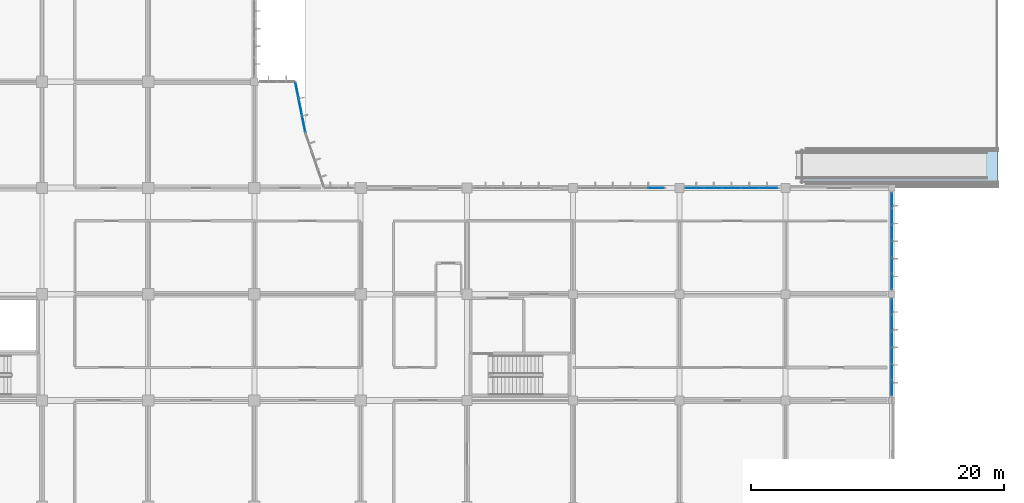
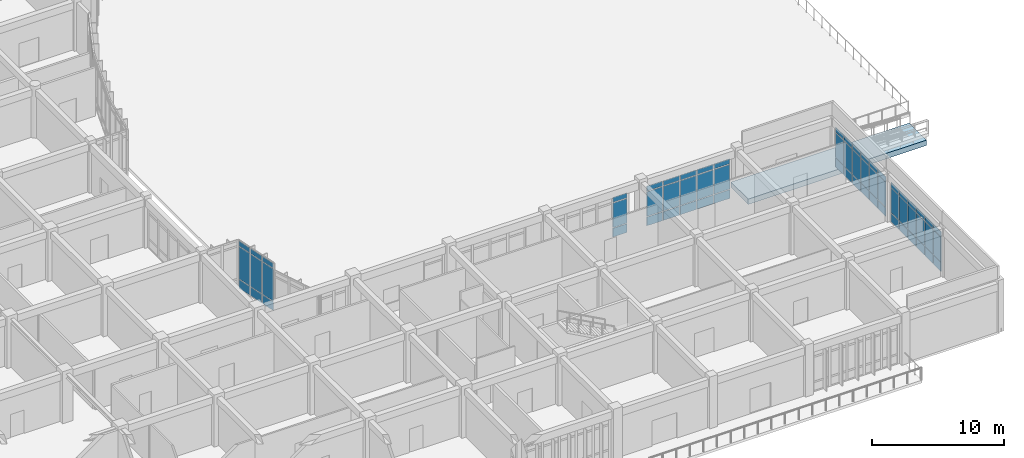
# One storey, part 77 of 138: 63 plates, 1 slab, 5 elements without a shape of their own.
"""IFC4 building model written with IfcOpenShell, lengths in metres."""

from ifc_helpers import new_model, si_unit, direction, frame, origin, origin_2d, place, context, subcontext, project, spatial, polyline, rectangle, outline, extrude, material, layer, layer_set, type_object, element, aggregate, save


model = new_model("IFC4")

# Units and contexts
model_context = context("Model", 3, precision=1e-05, world=origin(), true_north=direction((0.0, 1.0)))
body_context = subcontext(model_context, "Body", "Model", "MODEL_VIEW")
ifc_project = project(units=[si_unit("LENGTHUNIT", "METRE"), si_unit("AREAUNIT", "SQUARE_METRE"), si_unit("VOLUMEUNIT", "CUBIC_METRE"), si_unit("PLANEANGLEUNIT", "RADIAN"), si_unit("MASSUNIT", "GRAM", prefix="KILO")], contexts=[model_context])

# Site, building, storey
site_placement = place(None, origin())
site = spatial("IfcSite", under=ifc_project, at=site_placement, CompositionType="ELEMENT")
building_placement = place(site_placement, origin())
building = spatial("IfcBuilding", under=site, at=building_placement, Name="Bramfleet General Hospital", CompositionType="ELEMENT")
storey_placement = place(building_placement, origin())
storey = spatial("IfcBuildingStorey", under=building, at=storey_placement, Name="L00", CompositionType="ELEMENT", Elevation=0.0)

# Curtain wall, plates
ifc_material_1 = material(Name="Anodised aluminium and low-E triple glazing", Category="aluminium")
ifc_layer_1 = layer(ifc_material_1, 0.179931640625, Name="CWT-CW-11")
ifc_layer_set_1 = layer_set([ifc_layer_1], Name="Anodised aluminium and low-E triple glazing")
curtain_wall_type_1 = type_object("IfcCurtainWallType", Name="CWT-CW-11", PredefinedType="USERDEFINED", material=ifc_layer_set_1)
curtain_wall_1_placement = place(storey_placement, origin())
curtain_wall_1 = element("IfcCurtainWall", 1, at=curtain_wall_1_placement, inside=storey, type_object=curtain_wall_type_1, Name="L00 Curtain Wall 29", ObjectType="Stick curtain wall", PredefinedType="USERDEFINED")
ifc_material_2 = material(Name="Low-E laminated safety glass", Category="glass")
ifc_layer_2 = layer(ifc_material_2, 0.028076171875, Name="CWP-GLZ-1")
ifc_layer_set_2 = layer_set([ifc_layer_2], Name="Low-E laminated safety glass")
plate_type_1 = type_object("IfcPlateType", Name="CWP-GLZ-1", PredefinedType="CURTAIN_PANEL", material=ifc_layer_set_2)
plate_1_placement = place(storey_placement, frame((157.748291015625, 25.199951171875, 0.06494140625), z_axis=(0.0, 0.0, 1.0), x_axis=(1.0, 0.0, 0.0)))
plate_1 = element("IfcPlate", 2, at=plate_1_placement, type_object=plate_type_1, Name="CW-11 panel 5.1", PredefinedType="CURTAIN_PANEL", context=body_context, shape_type="SweptSolid", body=[
    extrude(rectangle(XDim=1.259521484375, YDim=0.028076171875, at=origin_2d()), origin(), (0.0, 0.0, 1.0), 0.802490234375),
])
plate_2_placement = place(storey_placement, frame((157.748291015625, 25.199951171875, 0.9326171875), z_axis=(0.0, 0.0, 1.0), x_axis=(1.0, 0.0, 0.0)))
plate_2 = element("IfcPlate", 3, at=plate_2_placement, type_object=plate_type_1, Name="CW-11 panel 5.2", PredefinedType="CURTAIN_PANEL", context=body_context, shape_type="SweptSolid", body=[
    extrude(rectangle(XDim=1.259521484375, YDim=0.028076171875, at=origin_2d()), origin(), (0.0, 0.0, 1.0), 2.27490234375),
])
plate_3_placement = place(storey_placement, frame((157.748291015625, 25.199951171875, 3.2724609375), z_axis=(0.0, 0.0, 1.0), x_axis=(1.0, 0.0, 0.0)))
plate_3 = element("IfcPlate", 4, at=plate_3_placement, type_object=plate_type_1, Name="CW-11 panel 5.3", PredefinedType="CURTAIN_PANEL", context=body_context, shape_type="SweptSolid", body=[
    extrude(rectangle(XDim=1.259521484375, YDim=0.028076171875, at=origin_2d()), origin(), (0.0, 0.0, 1.0), 0.452392578125),
])
aggregate(curtain_wall_1, [plate_1, plate_2, plate_3])

ifc_layer_3 = layer(ifc_material_1, 0.179931640625, Name="CWT-CW-12")
ifc_layer_set_3 = layer_set([ifc_layer_3], Name="Anodised aluminium and low-E triple glazing")
curtain_wall_type_2 = type_object("IfcCurtainWallType", Name="CWT-CW-12", PredefinedType="USERDEFINED", material=ifc_layer_set_3)
curtain_wall_2_placement = place(storey_placement, origin())
curtain_wall_2 = element("IfcCurtainWall", 5, at=curtain_wall_2_placement, inside=storey, type_object=curtain_wall_type_2, Name="L00 Curtain Wall 30", ObjectType="Stick curtain wall", PredefinedType="USERDEFINED")
ifc_layer_4 = layer(ifc_material_2, 0.031982421875, Name="CWP-GLZ-2")
ifc_layer_set_4 = layer_set([ifc_layer_4], Name="Low-E laminated safety glass")
plate_type_2 = type_object("IfcPlateType", Name="CWP-GLZ-2", PredefinedType="CURTAIN_PANEL", material=ifc_layer_set_4)
plate_4_placement = place(storey_placement, frame((160.782470703125, 25.199951171875, 0.06494140625), z_axis=(0.0, 0.0, 1.0), x_axis=(1.0, 0.0, 0.0)))
plate_4 = element("IfcPlate", 6, at=plate_4_placement, type_object=plate_type_2, Name="CW-12 panel 1.1", PredefinedType="CURTAIN_PANEL", context=body_context, shape_type="SweptSolid", body=[
    extrude(rectangle(XDim=1.374755859375, YDim=0.031982421875, at=origin_2d()), origin(), (0.0, 0.0, 1.0), 0.802490234375),
])
plate_5_placement = place(storey_placement, frame((160.782470703125, 25.199951171875, 0.9326171875), z_axis=(0.0, 0.0, 1.0), x_axis=(1.0, 0.0, 0.0)))
plate_5 = element("IfcPlate", 7, at=plate_5_placement, type_object=plate_type_2, Name="CW-12 panel 1.2", PredefinedType="CURTAIN_PANEL", context=body_context, shape_type="SweptSolid", body=[
    extrude(rectangle(XDim=1.374755859375, YDim=0.031982421875, at=origin_2d()), origin(), (0.0, 0.0, 1.0), 2.27490234375),
])
plate_6_placement = place(storey_placement, frame((160.782470703125, 25.199951171875, 3.2724609375), z_axis=(0.0, 0.0, 1.0), x_axis=(1.0, 0.0, 0.0)))
plate_6 = element("IfcPlate", 8, at=plate_6_placement, type_object=plate_type_2, Name="CW-12 panel 1.3", PredefinedType="CURTAIN_PANEL", context=body_context, shape_type="SweptSolid", body=[
    extrude(rectangle(XDim=1.374755859375, YDim=0.031982421875, at=origin_2d()), origin(), (0.0, 0.0, 1.0), 0.452392578125),
])
plate_7_placement = place(storey_placement, frame((162.24462890625, 25.199951171875, 0.06494140625), z_axis=(0.0, 0.0, 1.0), x_axis=(1.0, 0.0, 0.0)))
plate_7 = element("IfcPlate", 9, at=plate_7_placement, type_object=plate_type_2, Name="CW-12 panel 2.1", PredefinedType="CURTAIN_PANEL", context=body_context, shape_type="SweptSolid", body=[
    extrude(rectangle(XDim=1.409912109375, YDim=0.031982421875, at=origin_2d()), origin(), (0.0, 0.0, 1.0), 0.802490234375),
])
plate_8_placement = place(storey_placement, frame((162.24462890625, 25.199951171875, 0.9326171875), z_axis=(0.0, 0.0, 1.0), x_axis=(1.0, 0.0, 0.0)))
plate_8 = element("IfcPlate", 10, at=plate_8_placement, type_object=plate_type_2, Name="CW-12 panel 2.2", PredefinedType="CURTAIN_PANEL", context=body_context, shape_type="SweptSolid", body=[
    extrude(rectangle(XDim=1.409912109375, YDim=0.031982421875, at=origin_2d()), origin(), (0.0, 0.0, 1.0), 2.27490234375),
])
plate_9_placement = place(storey_placement, frame((162.24462890625, 25.199951171875, 3.2724609375), z_axis=(0.0, 0.0, 1.0), x_axis=(1.0, 0.0, 0.0)))
plate_9 = element("IfcPlate", 11, at=plate_9_placement, type_object=plate_type_2, Name="CW-12 panel 2.3", PredefinedType="CURTAIN_PANEL", context=body_context, shape_type="SweptSolid", body=[
    extrude(rectangle(XDim=1.409912109375, YDim=0.031982421875, at=origin_2d()), origin(), (0.0, 0.0, 1.0), 0.452392578125),
])
plate_10_placement = place(storey_placement, frame((163.724609375, 25.199951171875, 0.06494140625), z_axis=(0.0, 0.0, 1.0), x_axis=(1.0, 0.0, 0.0)))
plate_10 = element("IfcPlate", 12, at=plate_10_placement, type_object=plate_type_2, Name="CW-12 panel 3.1", PredefinedType="CURTAIN_PANEL", context=body_context, shape_type="SweptSolid", body=[
    extrude(rectangle(XDim=1.409912109375, YDim=0.031982421875, at=origin_2d()), origin(), (0.0, 0.0, 1.0), 0.802490234375),
])
plate_11_placement = place(storey_placement, frame((163.724609375, 25.199951171875, 0.9326171875), z_axis=(0.0, 0.0, 1.0), x_axis=(1.0, 0.0, 0.0)))
plate_11 = element("IfcPlate", 13, at=plate_11_placement, type_object=plate_type_2, Name="CW-12 panel 3.2", PredefinedType="CURTAIN_PANEL", context=body_context, shape_type="SweptSolid", body=[
    extrude(rectangle(XDim=1.409912109375, YDim=0.031982421875, at=origin_2d()), origin(), (0.0, 0.0, 1.0), 2.27490234375),
])
plate_12_placement = place(storey_placement, frame((163.724609375, 25.199951171875, 3.2724609375), z_axis=(0.0, 0.0, 1.0), x_axis=(1.0, 0.0, 0.0)))
plate_12 = element("IfcPlate", 14, at=plate_12_placement, type_object=plate_type_2, Name="CW-12 panel 3.3", PredefinedType="CURTAIN_PANEL", context=body_context, shape_type="SweptSolid", body=[
    extrude(rectangle(XDim=1.409912109375, YDim=0.031982421875, at=origin_2d()), origin(), (0.0, 0.0, 1.0), 0.452392578125),
])
plate_13_placement = place(storey_placement, frame((165.204345703125, 25.199951171875, 0.06494140625), z_axis=(0.0, 0.0, 1.0), x_axis=(1.0, 0.0, 0.0)))
plate_13 = element("IfcPlate", 15, at=plate_13_placement, type_object=plate_type_2, Name="CW-12 panel 4.1", PredefinedType="CURTAIN_PANEL", context=body_context, shape_type="SweptSolid", body=[
    extrude(rectangle(XDim=1.409912109375, YDim=0.031982421875, at=origin_2d()), origin(), (0.0, 0.0, 1.0), 0.802490234375),
])
plate_14_placement = place(storey_placement, frame((165.204345703125, 25.199951171875, 0.9326171875), z_axis=(0.0, 0.0, 1.0), x_axis=(1.0, 0.0, 0.0)))
plate_14 = element("IfcPlate", 16, at=plate_14_placement, type_object=plate_type_2, Name="CW-12 panel 4.2", PredefinedType="CURTAIN_PANEL", context=body_context, shape_type="SweptSolid", body=[
    extrude(rectangle(XDim=1.409912109375, YDim=0.031982421875, at=origin_2d()), origin(), (0.0, 0.0, 1.0), 2.27490234375),
])
plate_15_placement = place(storey_placement, frame((165.204345703125, 25.199951171875, 3.2724609375), z_axis=(0.0, 0.0, 1.0), x_axis=(1.0, 0.0, 0.0)))
plate_15 = element("IfcPlate", 17, at=plate_15_placement, type_object=plate_type_2, Name="CW-12 panel 4.3", PredefinedType="CURTAIN_PANEL", context=body_context, shape_type="SweptSolid", body=[
    extrude(rectangle(XDim=1.409912109375, YDim=0.031982421875, at=origin_2d()), origin(), (0.0, 0.0, 1.0), 0.452392578125),
])
plate_16_placement = place(storey_placement, frame((166.66650390625, 25.199951171875, 0.06494140625), z_axis=(0.0, 0.0, 1.0), x_axis=(1.0, 0.0, 0.0)))
plate_16 = element("IfcPlate", 18, at=plate_16_placement, type_object=plate_type_2, Name="CW-12 panel 5.1", PredefinedType="CURTAIN_PANEL", context=body_context, shape_type="SweptSolid", body=[
    extrude(rectangle(XDim=1.374755859375, YDim=0.031982421875, at=origin_2d()), origin(), (0.0, 0.0, 1.0), 0.802490234375),
])
plate_17_placement = place(storey_placement, frame((166.66650390625, 25.199951171875, 0.9326171875), z_axis=(0.0, 0.0, 1.0), x_axis=(1.0, 0.0, 0.0)))
plate_17 = element("IfcPlate", 19, at=plate_17_placement, type_object=plate_type_2, Name="CW-12 panel 5.2", PredefinedType="CURTAIN_PANEL", context=body_context, shape_type="SweptSolid", body=[
    extrude(rectangle(XDim=1.374755859375, YDim=0.031982421875, at=origin_2d()), origin(), (0.0, 0.0, 1.0), 2.27490234375),
])
plate_18_placement = place(storey_placement, frame((166.66650390625, 25.199951171875, 3.2724609375), z_axis=(0.0, 0.0, 1.0), x_axis=(1.0, 0.0, 0.0)))
plate_18 = element("IfcPlate", 20, at=plate_18_placement, type_object=plate_type_2, Name="CW-12 panel 5.3", PredefinedType="CURTAIN_PANEL", context=body_context, shape_type="SweptSolid", body=[
    extrude(rectangle(XDim=1.374755859375, YDim=0.031982421875, at=origin_2d()), origin(), (0.0, 0.0, 1.0), 0.452392578125),
])
aggregate(curtain_wall_2, [plate_4, plate_5, plate_6, plate_7, plate_8, plate_9, plate_10, plate_11, plate_12, plate_13, plate_14, plate_15, plate_16, plate_17, plate_18])

ifc_layer_5 = layer(ifc_material_1, 0.179931640625, Name="CWT-CW-13")
ifc_layer_set_5 = layer_set([ifc_layer_5], Name="Anodised aluminium and low-E triple glazing")
curtain_wall_type_3 = type_object("IfcCurtainWallType", Name="CWT-CW-13", PredefinedType="USERDEFINED", material=ifc_layer_set_5)
curtain_wall_3_placement = place(storey_placement, origin())
curtain_wall_3 = element("IfcCurtainWall", 21, at=curtain_wall_3_placement, inside=storey, type_object=curtain_wall_type_3, Name="L00 Curtain Wall 31", ObjectType="Stick curtain wall", PredefinedType="USERDEFINED")
ifc_layer_6 = layer(ifc_material_2, 0.035888671875, Name="CWP-GLZ-3")
ifc_layer_set_6 = layer_set([ifc_layer_6], Name="Low-E laminated safety glass")
plate_type_3 = type_object("IfcPlateType", Name="CWP-GLZ-3", PredefinedType="CURTAIN_PANEL", material=ifc_layer_set_6)
plate_19_placement = place(storey_placement, frame((176.39990234375, 24.211669921875, 0.06494140625), z_axis=(0.0, 0.0, 1.0), x_axis=(0.0, -1.0, 0.0)))
plate_19 = element("IfcPlate", 22, at=plate_19_placement, type_object=plate_type_3, Name="CW-13 panel 1.1", PredefinedType="CURTAIN_PANEL", context=body_context, shape_type="SweptSolid", body=[
    extrude(rectangle(XDim=1.186767578125, YDim=0.035888671875, at=origin_2d()), origin(), (0.0, 0.0, 1.0), 0.802490234375),
])
plate_20_placement = place(storey_placement, frame((176.39990234375, 24.211669921875, 0.9326171875), z_axis=(0.0, 0.0, 1.0), x_axis=(0.0, -1.0, 0.0)))
plate_20 = element("IfcPlate", 23, at=plate_20_placement, type_object=plate_type_3, Name="CW-13 panel 1.2", PredefinedType="CURTAIN_PANEL", context=body_context, shape_type="SweptSolid", body=[
    extrude(rectangle(XDim=1.186767578125, YDim=0.035888671875, at=origin_2d()), origin(), (0.0, 0.0, 1.0), 2.27490234375),
])
plate_21_placement = place(storey_placement, frame((176.39990234375, 24.211669921875, 3.2724609375), z_axis=(0.0, 0.0, 1.0), x_axis=(0.0, -1.0, 0.0)))
plate_21 = element("IfcPlate", 24, at=plate_21_placement, type_object=plate_type_3, Name="CW-13 panel 1.3", PredefinedType="CURTAIN_PANEL", context=body_context, shape_type="SweptSolid", body=[
    extrude(rectangle(XDim=1.186767578125, YDim=0.035888671875, at=origin_2d()), origin(), (0.0, 0.0, 1.0), 0.452392578125),
])
plate_22_placement = place(storey_placement, frame((176.39990234375, 22.9375, 0.06494140625), z_axis=(0.0, 0.0, 1.0), x_axis=(0.0, -1.0, 0.0)))
plate_22 = element("IfcPlate", 25, at=plate_22_placement, type_object=plate_type_3, Name="CW-13 panel 2.1", PredefinedType="CURTAIN_PANEL", context=body_context, shape_type="SweptSolid", body=[
    extrude(rectangle(XDim=1.2216796875, YDim=0.035888671875, at=origin_2d()), origin(), (0.0, 0.0, 1.0), 0.802490234375),
])
plate_23_placement = place(storey_placement, frame((176.39990234375, 22.9375, 0.9326171875), z_axis=(0.0, 0.0, 1.0), x_axis=(0.0, -1.0, 0.0)))
plate_23 = element("IfcPlate", 26, at=plate_23_placement, type_object=plate_type_3, Name="CW-13 panel 2.2", PredefinedType="CURTAIN_PANEL", context=body_context, shape_type="SweptSolid", body=[
    extrude(rectangle(XDim=1.2216796875, YDim=0.035888671875, at=origin_2d()), origin(), (0.0, 0.0, 1.0), 2.27490234375),
])
plate_24_placement = place(storey_placement, frame((176.39990234375, 22.9375, 3.2724609375), z_axis=(0.0, 0.0, 1.0), x_axis=(0.0, -1.0, 0.0)))
plate_24 = element("IfcPlate", 27, at=plate_24_placement, type_object=plate_type_3, Name="CW-13 panel 2.3", PredefinedType="CURTAIN_PANEL", context=body_context, shape_type="SweptSolid", body=[
    extrude(rectangle(XDim=1.2216796875, YDim=0.035888671875, at=origin_2d()), origin(), (0.0, 0.0, 1.0), 0.452392578125),
])
plate_25_placement = place(storey_placement, frame((176.39990234375, 21.645751953125, 0.06494140625), z_axis=(0.0, 0.0, 1.0), x_axis=(0.0, -1.0, 0.0)))
plate_25 = element("IfcPlate", 28, at=plate_25_placement, type_object=plate_type_3, Name="CW-13 panel 3.1", PredefinedType="CURTAIN_PANEL", context=body_context, shape_type="SweptSolid", body=[
    extrude(rectangle(XDim=1.2216796875, YDim=0.035888671875, at=origin_2d()), origin(), (0.0, 0.0, 1.0), 0.802490234375),
])
plate_26_placement = place(storey_placement, frame((176.39990234375, 21.645751953125, 0.9326171875), z_axis=(0.0, 0.0, 1.0), x_axis=(0.0, -1.0, 0.0)))
plate_26 = element("IfcPlate", 29, at=plate_26_placement, type_object=plate_type_3, Name="CW-13 panel 3.2", PredefinedType="CURTAIN_PANEL", context=body_context, shape_type="SweptSolid", body=[
    extrude(rectangle(XDim=1.2216796875, YDim=0.035888671875, at=origin_2d()), origin(), (0.0, 0.0, 1.0), 2.27490234375),
])
plate_27_placement = place(storey_placement, frame((176.39990234375, 21.645751953125, 3.2724609375), z_axis=(0.0, 0.0, 1.0), x_axis=(0.0, -1.0, 0.0)))
plate_27 = element("IfcPlate", 30, at=plate_27_placement, type_object=plate_type_3, Name="CW-13 panel 3.3", PredefinedType="CURTAIN_PANEL", context=body_context, shape_type="SweptSolid", body=[
    extrude(rectangle(XDim=1.2216796875, YDim=0.035888671875, at=origin_2d()), origin(), (0.0, 0.0, 1.0), 0.452392578125),
])
plate_28_placement = place(storey_placement, frame((176.39990234375, 20.354248046875, 0.06494140625), z_axis=(0.0, 0.0, 1.0), x_axis=(0.0, -1.0, 0.0)))
plate_28 = element("IfcPlate", 31, at=plate_28_placement, type_object=plate_type_3, Name="CW-13 panel 4.1", PredefinedType="CURTAIN_PANEL", context=body_context, shape_type="SweptSolid", body=[
    extrude(rectangle(XDim=1.2216796875, YDim=0.035888671875, at=origin_2d()), origin(), (0.0, 0.0, 1.0), 0.802490234375),
])
plate_29_placement = place(storey_placement, frame((176.39990234375, 20.354248046875, 0.9326171875), z_axis=(0.0, 0.0, 1.0), x_axis=(0.0, -1.0, 0.0)))
plate_29 = element("IfcPlate", 32, at=plate_29_placement, type_object=plate_type_3, Name="CW-13 panel 4.2", PredefinedType="CURTAIN_PANEL", context=body_context, shape_type="SweptSolid", body=[
    extrude(rectangle(XDim=1.2216796875, YDim=0.035888671875, at=origin_2d()), origin(), (0.0, 0.0, 1.0), 2.27490234375),
])
plate_30_placement = place(storey_placement, frame((176.39990234375, 20.354248046875, 3.2724609375), z_axis=(0.0, 0.0, 1.0), x_axis=(0.0, -1.0, 0.0)))
plate_30 = element("IfcPlate", 33, at=plate_30_placement, type_object=plate_type_3, Name="CW-13 panel 4.3", PredefinedType="CURTAIN_PANEL", context=body_context, shape_type="SweptSolid", body=[
    extrude(rectangle(XDim=1.2216796875, YDim=0.035888671875, at=origin_2d()), origin(), (0.0, 0.0, 1.0), 0.452392578125),
])
plate_31_placement = place(storey_placement, frame((176.39990234375, 19.0625, 0.06494140625), z_axis=(0.0, 0.0, 1.0), x_axis=(0.0, -1.0, 0.0)))
plate_31 = element("IfcPlate", 34, at=plate_31_placement, type_object=plate_type_3, Name="CW-13 panel 5.1", PredefinedType="CURTAIN_PANEL", context=body_context, shape_type="SweptSolid", body=[
    extrude(rectangle(XDim=1.2216796875, YDim=0.035888671875, at=origin_2d()), origin(), (0.0, 0.0, 1.0), 0.802490234375),
])
plate_32_placement = place(storey_placement, frame((176.39990234375, 19.0625, 0.9326171875), z_axis=(0.0, 0.0, 1.0), x_axis=(0.0, -1.0, 0.0)))
plate_32 = element("IfcPlate", 35, at=plate_32_placement, type_object=plate_type_3, Name="CW-13 panel 5.2", PredefinedType="CURTAIN_PANEL", context=body_context, shape_type="SweptSolid", body=[
    extrude(rectangle(XDim=1.2216796875, YDim=0.035888671875, at=origin_2d()), origin(), (0.0, 0.0, 1.0), 2.27490234375),
])
plate_33_placement = place(storey_placement, frame((176.39990234375, 19.0625, 3.2724609375), z_axis=(0.0, 0.0, 1.0), x_axis=(0.0, -1.0, 0.0)))
plate_33 = element("IfcPlate", 36, at=plate_33_placement, type_object=plate_type_3, Name="CW-13 panel 5.3", PredefinedType="CURTAIN_PANEL", context=body_context, shape_type="SweptSolid", body=[
    extrude(rectangle(XDim=1.2216796875, YDim=0.035888671875, at=origin_2d()), origin(), (0.0, 0.0, 1.0), 0.452392578125),
])
plate_34_placement = place(storey_placement, frame((176.39990234375, 17.788330078125, 0.06494140625), z_axis=(0.0, 0.0, 1.0), x_axis=(0.0, -1.0, 0.0)))
plate_34 = element("IfcPlate", 37, at=plate_34_placement, type_object=plate_type_3, Name="CW-13 panel 6.1", PredefinedType="CURTAIN_PANEL", context=body_context, shape_type="SweptSolid", body=[
    extrude(rectangle(XDim=1.186767578125, YDim=0.035888671875, at=origin_2d()), origin(), (0.0, 0.0, 1.0), 0.802490234375),
])
plate_35_placement = place(storey_placement, frame((176.39990234375, 17.788330078125, 0.9326171875), z_axis=(0.0, 0.0, 1.0), x_axis=(0.0, -1.0, 0.0)))
plate_35 = element("IfcPlate", 38, at=plate_35_placement, type_object=plate_type_3, Name="CW-13 panel 6.2", PredefinedType="CURTAIN_PANEL", context=body_context, shape_type="SweptSolid", body=[
    extrude(rectangle(XDim=1.186767578125, YDim=0.035888671875, at=origin_2d()), origin(), (0.0, 0.0, 1.0), 2.27490234375),
])
plate_36_placement = place(storey_placement, frame((176.39990234375, 17.788330078125, 3.2724609375), z_axis=(0.0, 0.0, 1.0), x_axis=(0.0, -1.0, 0.0)))
plate_36 = element("IfcPlate", 39, at=plate_36_placement, type_object=plate_type_3, Name="CW-13 panel 6.3", PredefinedType="CURTAIN_PANEL", context=body_context, shape_type="SweptSolid", body=[
    extrude(rectangle(XDim=1.186767578125, YDim=0.035888671875, at=origin_2d()), origin(), (0.0, 0.0, 1.0), 0.452392578125),
])
aggregate(curtain_wall_3, [plate_19, plate_20, plate_21, plate_22, plate_23, plate_24, plate_25, plate_26, plate_27, plate_28, plate_29, plate_30, plate_31, plate_32, plate_33, plate_34, plate_35, plate_36])

ifc_layer_7 = layer(ifc_material_1, 0.179931640625, Name="CWT-CW-06")
ifc_layer_set_7 = layer_set([ifc_layer_7], Name="Anodised aluminium and low-E triple glazing")
curtain_wall_type_4 = type_object("IfcCurtainWallType", Name="CWT-CW-06", PredefinedType="USERDEFINED", material=ifc_layer_set_7)
curtain_wall_4_placement = place(storey_placement, origin())
curtain_wall_4 = element("IfcCurtainWall", 40, at=curtain_wall_4_placement, inside=storey, type_object=curtain_wall_type_4, Name="L00 Curtain Wall 24", ObjectType="Unitised curtain wall", PredefinedType="USERDEFINED")
ifc_layer_8 = layer(ifc_material_2, 0.0419921875, Name="CWP-GLZ-4")
ifc_layer_set_8 = layer_set([ifc_layer_8], Name="Low-E laminated safety glass")
plate_type_4 = type_object("IfcPlateType", Name="CWP-GLZ-4", PredefinedType="CURTAIN_PANEL", material=ifc_layer_set_8)
plate_37_placement = place(storey_placement, frame((129.371826171875, 32.912353515625, 0.06494140625), z_axis=(0.0, 0.0, 1.0), x_axis=(0.195272189606, -0.980749087161, 0.0)))
plate_37 = element("IfcPlate", 41, at=plate_37_placement, type_object=plate_type_4, Name="CW-06 panel 1.1", PredefinedType="CURTAIN_PANEL", context=body_context, shape_type="SweptSolid", body=[
    extrude(rectangle(XDim=1.26220703125, YDim=0.0419921875, at=origin_2d()), origin(), (0.0, 0.0, 1.0), 0.802490234375),
])
plate_38_placement = place(storey_placement, frame((129.371826171875, 32.912353515625, 0.932373046875), z_axis=(0.0, 0.0, 1.0), x_axis=(0.195272189606, -0.980749087161, 0.0)))
plate_38 = element("IfcPlate", 42, at=plate_38_placement, type_object=plate_type_4, Name="CW-06 panel 1.2", PredefinedType="CURTAIN_PANEL", context=body_context, shape_type="SweptSolid", body=[
    extrude(rectangle(XDim=1.26220703125, YDim=0.0419921875, at=origin_2d()), origin(), (0.0, 0.0, 1.0), 2.97509765625),
])
plate_39_placement = place(storey_placement, frame((129.371826171875, 32.912353515625, 3.97265625), z_axis=(0.0, 0.0, 1.0), x_axis=(0.195272189606, -0.980749087161, 0.0)))
plate_39 = element("IfcPlate", 43, at=plate_39_placement, type_object=plate_type_4, Name="CW-06 panel 1.3", PredefinedType="CURTAIN_PANEL", context=body_context, shape_type="SweptSolid", body=[
    extrude(rectangle(XDim=1.26220703125, YDim=0.0419921875, at=origin_2d()), origin(), (0.0, 0.0, 1.0), 0.452392578125),
])
plate_40_placement = place(storey_placement, frame((129.635498046875, 31.58837890625, 0.06494140625), z_axis=(0.0, 0.0, 1.0), x_axis=(0.195272189606, -0.980749087161, 0.0)))
plate_40 = element("IfcPlate", 44, at=plate_40_placement, type_object=plate_type_4, Name="CW-06 panel 2.1", PredefinedType="CURTAIN_PANEL", context=body_context, shape_type="SweptSolid", body=[
    extrude(rectangle(XDim=1.29736328125, YDim=0.0419921875, at=origin_2d()), origin(), (0.0, 0.0, 1.0), 0.802490234375),
])
plate_41_placement = place(storey_placement, frame((129.635498046875, 31.58837890625, 0.932373046875), z_axis=(0.0, 0.0, 1.0), x_axis=(0.195272189606, -0.980749087161, 0.0)))
plate_41 = element("IfcPlate", 45, at=plate_41_placement, type_object=plate_type_4, Name="CW-06 panel 2.2", PredefinedType="CURTAIN_PANEL", context=body_context, shape_type="SweptSolid", body=[
    extrude(rectangle(XDim=1.29736328125, YDim=0.0419921875, at=origin_2d()), origin(), (0.0, 0.0, 1.0), 2.97509765625),
])
plate_42_placement = place(storey_placement, frame((129.635498046875, 31.58837890625, 3.97265625), z_axis=(0.0, 0.0, 1.0), x_axis=(0.195272189606, -0.980749087161, 0.0)))
plate_42 = element("IfcPlate", 46, at=plate_42_placement, type_object=plate_type_4, Name="CW-06 panel 2.3", PredefinedType="CURTAIN_PANEL", context=body_context, shape_type="SweptSolid", body=[
    extrude(rectangle(XDim=1.29736328125, YDim=0.0419921875, at=origin_2d()), origin(), (0.0, 0.0, 1.0), 0.452392578125),
])
plate_43_placement = place(storey_placement, frame((129.899169921875, 30.2646484375, 0.06494140625), z_axis=(0.0, 0.0, 1.0), x_axis=(0.195272189606, -0.980749087161, 0.0)))
plate_43 = element("IfcPlate", 47, at=plate_43_placement, type_object=plate_type_4, Name="CW-06 panel 3.1", PredefinedType="CURTAIN_PANEL", context=body_context, shape_type="SweptSolid", body=[
    extrude(rectangle(XDim=1.26220703125, YDim=0.0419921875, at=origin_2d()), origin(), (0.0, 0.0, 1.0), 0.802490234375),
])
plate_44_placement = place(storey_placement, frame((129.899169921875, 30.2646484375, 0.932373046875), z_axis=(0.0, 0.0, 1.0), x_axis=(0.195272189606, -0.980749087161, 0.0)))
plate_44 = element("IfcPlate", 48, at=plate_44_placement, type_object=plate_type_4, Name="CW-06 panel 3.2", PredefinedType="CURTAIN_PANEL", context=body_context, shape_type="SweptSolid", body=[
    extrude(rectangle(XDim=1.26220703125, YDim=0.0419921875, at=origin_2d()), origin(), (0.0, 0.0, 1.0), 2.97509765625),
])
plate_45_placement = place(storey_placement, frame((129.899169921875, 30.2646484375, 3.97265625), z_axis=(0.0, 0.0, 1.0), x_axis=(0.195272189606, -0.980749087161, 0.0)))
plate_45 = element("IfcPlate", 49, at=plate_45_placement, type_object=plate_type_4, Name="CW-06 panel 3.3", PredefinedType="CURTAIN_PANEL", context=body_context, shape_type="SweptSolid", body=[
    extrude(rectangle(XDim=1.26220703125, YDim=0.0419921875, at=origin_2d()), origin(), (0.0, 0.0, 1.0), 0.452392578125),
])
aggregate(curtain_wall_4, [plate_37, plate_38, plate_39, plate_40, plate_41, plate_42, plate_43, plate_44, plate_45])

ifc_layer_9 = layer(ifc_material_1, 0.179931640625, Name="CWT-CW-14")
ifc_layer_set_9 = layer_set([ifc_layer_9], Name="Anodised aluminium and low-E triple glazing")
curtain_wall_type_5 = type_object("IfcCurtainWallType", Name="CWT-CW-14", PredefinedType="USERDEFINED", material=ifc_layer_set_9)
curtain_wall_5_placement = place(storey_placement, origin())
curtain_wall_5 = element("IfcCurtainWall", 50, at=curtain_wall_5_placement, inside=storey, type_object=curtain_wall_type_5, Name="L00 Curtain Wall 32", ObjectType="Stick curtain wall", PredefinedType="USERDEFINED")
plate_46_placement = place(storey_placement, frame((176.39990234375, 15.811767578125, 0.06494140625), z_axis=(0.0, 0.0, 1.0), x_axis=(0.0, -1.0, 0.0)))
plate_46 = element("IfcPlate", 51, at=plate_46_placement, type_object=plate_type_4, Name="CW-14 panel 1.1", PredefinedType="CURTAIN_PANEL", context=body_context, shape_type="SweptSolid", body=[
    extrude(rectangle(XDim=1.186767578125, YDim=0.0419921875, at=origin_2d()), origin(), (0.0, 0.0, 1.0), 0.802490234375),
])
plate_47_placement = place(storey_placement, frame((176.39990234375, 15.811767578125, 0.9326171875), z_axis=(0.0, 0.0, 1.0), x_axis=(0.0, -1.0, 0.0)))
plate_47 = element("IfcPlate", 52, at=plate_47_placement, type_object=plate_type_4, Name="CW-14 panel 1.2", PredefinedType="CURTAIN_PANEL", context=body_context, shape_type="SweptSolid", body=[
    extrude(rectangle(XDim=1.186767578125, YDim=0.0419921875, at=origin_2d()), origin(), (0.0, 0.0, 1.0), 2.27490234375),
])
plate_48_placement = place(storey_placement, frame((176.39990234375, 15.811767578125, 3.2724609375), z_axis=(0.0, 0.0, 1.0), x_axis=(0.0, -1.0, 0.0)))
plate_48 = element("IfcPlate", 53, at=plate_48_placement, type_object=plate_type_4, Name="CW-14 panel 1.3", PredefinedType="CURTAIN_PANEL", context=body_context, shape_type="SweptSolid", body=[
    extrude(rectangle(XDim=1.186767578125, YDim=0.0419921875, at=origin_2d()), origin(), (0.0, 0.0, 1.0), 0.452392578125),
])
plate_49_placement = place(storey_placement, frame((176.39990234375, 14.53759765625, 0.06494140625), z_axis=(0.0, 0.0, 1.0), x_axis=(0.0, -1.0, 0.0)))
plate_49 = element("IfcPlate", 54, at=plate_49_placement, type_object=plate_type_4, Name="CW-14 panel 2.1", PredefinedType="CURTAIN_PANEL", context=body_context, shape_type="SweptSolid", body=[
    extrude(rectangle(XDim=1.2216796875, YDim=0.0419921875, at=origin_2d()), origin(), (0.0, 0.0, 1.0), 0.802490234375),
])
plate_50_placement = place(storey_placement, frame((176.39990234375, 14.53759765625, 0.9326171875), z_axis=(0.0, 0.0, 1.0), x_axis=(0.0, -1.0, 0.0)))
plate_50 = element("IfcPlate", 55, at=plate_50_placement, type_object=plate_type_4, Name="CW-14 panel 2.2", PredefinedType="CURTAIN_PANEL", context=body_context, shape_type="SweptSolid", body=[
    extrude(rectangle(XDim=1.2216796875, YDim=0.0419921875, at=origin_2d()), origin(), (0.0, 0.0, 1.0), 2.27490234375),
])
plate_51_placement = place(storey_placement, frame((176.39990234375, 14.53759765625, 3.2724609375), z_axis=(0.0, 0.0, 1.0), x_axis=(0.0, -1.0, 0.0)))
plate_51 = element("IfcPlate", 56, at=plate_51_placement, type_object=plate_type_4, Name="CW-14 panel 2.3", PredefinedType="CURTAIN_PANEL", context=body_context, shape_type="SweptSolid", body=[
    extrude(rectangle(XDim=1.2216796875, YDim=0.0419921875, at=origin_2d()), origin(), (0.0, 0.0, 1.0), 0.452392578125),
])
plate_52_placement = place(storey_placement, frame((176.39990234375, 13.245849609375, 0.06494140625), z_axis=(0.0, 0.0, 1.0), x_axis=(0.0, -1.0, 0.0)))
plate_52 = element("IfcPlate", 57, at=plate_52_placement, type_object=plate_type_4, Name="CW-14 panel 3.1", PredefinedType="CURTAIN_PANEL", context=body_context, shape_type="SweptSolid", body=[
    extrude(rectangle(XDim=1.2216796875, YDim=0.0419921875, at=origin_2d()), origin(), (0.0, 0.0, 1.0), 0.802490234375),
])
plate_53_placement = place(storey_placement, frame((176.39990234375, 13.245849609375, 0.9326171875), z_axis=(0.0, 0.0, 1.0), x_axis=(0.0, -1.0, 0.0)))
plate_53 = element("IfcPlate", 58, at=plate_53_placement, type_object=plate_type_4, Name="CW-14 panel 3.2", PredefinedType="CURTAIN_PANEL", context=body_context, shape_type="SweptSolid", body=[
    extrude(rectangle(XDim=1.2216796875, YDim=0.0419921875, at=origin_2d()), origin(), (0.0, 0.0, 1.0), 2.27490234375),
])
plate_54_placement = place(storey_placement, frame((176.39990234375, 13.245849609375, 3.2724609375), z_axis=(0.0, 0.0, 1.0), x_axis=(0.0, -1.0, 0.0)))
plate_54 = element("IfcPlate", 59, at=plate_54_placement, type_object=plate_type_4, Name="CW-14 panel 3.3", PredefinedType="CURTAIN_PANEL", context=body_context, shape_type="SweptSolid", body=[
    extrude(rectangle(XDim=1.2216796875, YDim=0.0419921875, at=origin_2d()), origin(), (0.0, 0.0, 1.0), 0.452392578125),
])
plate_55_placement = place(storey_placement, frame((176.39990234375, 11.9541015625, 0.06494140625), z_axis=(0.0, 0.0, 1.0), x_axis=(0.0, -1.0, 0.0)))
plate_55 = element("IfcPlate", 60, at=plate_55_placement, type_object=plate_type_4, Name="CW-14 panel 4.1", PredefinedType="CURTAIN_PANEL", context=body_context, shape_type="SweptSolid", body=[
    extrude(rectangle(XDim=1.2216796875, YDim=0.0419921875, at=origin_2d()), origin(), (0.0, 0.0, 1.0), 0.802490234375),
])
plate_56_placement = place(storey_placement, frame((176.39990234375, 11.9541015625, 0.9326171875), z_axis=(0.0, 0.0, 1.0), x_axis=(0.0, -1.0, 0.0)))
plate_56 = element("IfcPlate", 61, at=plate_56_placement, type_object=plate_type_4, Name="CW-14 panel 4.2", PredefinedType="CURTAIN_PANEL", context=body_context, shape_type="SweptSolid", body=[
    extrude(rectangle(XDim=1.2216796875, YDim=0.0419921875, at=origin_2d()), origin(), (0.0, 0.0, 1.0), 2.27490234375),
])
plate_57_placement = place(storey_placement, frame((176.39990234375, 11.9541015625, 3.2724609375), z_axis=(0.0, 0.0, 1.0), x_axis=(0.0, -1.0, 0.0)))
plate_57 = element("IfcPlate", 62, at=plate_57_placement, type_object=plate_type_4, Name="CW-14 panel 4.3", PredefinedType="CURTAIN_PANEL", context=body_context, shape_type="SweptSolid", body=[
    extrude(rectangle(XDim=1.2216796875, YDim=0.0419921875, at=origin_2d()), origin(), (0.0, 0.0, 1.0), 0.452392578125),
])
plate_58_placement = place(storey_placement, frame((176.39990234375, 10.66259765625, 0.06494140625), z_axis=(0.0, 0.0, 1.0), x_axis=(0.0, -1.0, 0.0)))
plate_58 = element("IfcPlate", 63, at=plate_58_placement, type_object=plate_type_4, Name="CW-14 panel 5.1", PredefinedType="CURTAIN_PANEL", context=body_context, shape_type="SweptSolid", body=[
    extrude(rectangle(XDim=1.2216796875, YDim=0.0419921875, at=origin_2d()), origin(), (0.0, 0.0, 1.0), 0.802490234375),
])
plate_59_placement = place(storey_placement, frame((176.39990234375, 10.66259765625, 0.9326171875), z_axis=(0.0, 0.0, 1.0), x_axis=(0.0, -1.0, 0.0)))
plate_59 = element("IfcPlate", 64, at=plate_59_placement, type_object=plate_type_4, Name="CW-14 panel 5.2", PredefinedType="CURTAIN_PANEL", context=body_context, shape_type="SweptSolid", body=[
    extrude(rectangle(XDim=1.2216796875, YDim=0.0419921875, at=origin_2d()), origin(), (0.0, 0.0, 1.0), 2.27490234375),
])
plate_60_placement = place(storey_placement, frame((176.39990234375, 10.66259765625, 3.2724609375), z_axis=(0.0, 0.0, 1.0), x_axis=(0.0, -1.0, 0.0)))
plate_60 = element("IfcPlate", 65, at=plate_60_placement, type_object=plate_type_4, Name="CW-14 panel 5.3", PredefinedType="CURTAIN_PANEL", context=body_context, shape_type="SweptSolid", body=[
    extrude(rectangle(XDim=1.2216796875, YDim=0.0419921875, at=origin_2d()), origin(), (0.0, 0.0, 1.0), 0.452392578125),
])
plate_61_placement = place(storey_placement, frame((176.39990234375, 9.388427734375, 0.06494140625), z_axis=(0.0, 0.0, 1.0), x_axis=(0.0, -1.0, 0.0)))
plate_61 = element("IfcPlate", 66, at=plate_61_placement, type_object=plate_type_4, Name="CW-14 panel 6.1", PredefinedType="CURTAIN_PANEL", context=body_context, shape_type="SweptSolid", body=[
    extrude(rectangle(XDim=1.186767578125, YDim=0.0419921875, at=origin_2d()), origin(), (0.0, 0.0, 1.0), 0.802490234375),
])
plate_62_placement = place(storey_placement, frame((176.39990234375, 9.388427734375, 0.9326171875), z_axis=(0.0, 0.0, 1.0), x_axis=(0.0, -1.0, 0.0)))
plate_62 = element("IfcPlate", 67, at=plate_62_placement, type_object=plate_type_4, Name="CW-14 panel 6.2", PredefinedType="CURTAIN_PANEL", context=body_context, shape_type="SweptSolid", body=[
    extrude(rectangle(XDim=1.186767578125, YDim=0.0419921875, at=origin_2d()), origin(), (0.0, 0.0, 1.0), 2.27490234375),
])
plate_63_placement = place(storey_placement, frame((176.39990234375, 9.388427734375, 3.2724609375), z_axis=(0.0, 0.0, 1.0), x_axis=(0.0, -1.0, 0.0)))
plate_63 = element("IfcPlate", 68, at=plate_63_placement, type_object=plate_type_4, Name="CW-14 panel 6.3", PredefinedType="CURTAIN_PANEL", context=body_context, shape_type="SweptSolid", body=[
    extrude(rectangle(XDim=1.186767578125, YDim=0.0419921875, at=origin_2d()), origin(), (0.0, 0.0, 1.0), 0.452392578125),
])
aggregate(curtain_wall_5, [plate_46, plate_47, plate_48, plate_49, plate_50, plate_51, plate_52, plate_53, plate_54, plate_55, plate_56, plate_57, plate_58, plate_59, plate_60, plate_61, plate_62, plate_63])

# Slab
ifc_material_3 = material(Name="Concrete C35/45", Category="concrete")
ifc_layer_10 = layer(ifc_material_3, 0.5, Name="SL-BASE-500")
ifc_layer_set_10 = layer_set([ifc_layer_10], Name="Concrete C35/45")
slab_type = type_object("IfcSlabType", Name="SL-BASE-500", PredefinedType="BASESLAB", material=ifc_layer_set_10)
slab_placement = place(storey_placement, frame((0.0, 0.0, -1.39990234375)))
element("IfcSlab", 69, at=slab_placement, inside=storey, type_object=slab_type, Name="Grounded Ramp Pocket Slab 5", PredefinedType="BASESLAB", context=body_context, shape_type="SweptSolid", body=[
    extrude(outline(polyline([(169.199951171875, 25.60009765625), (184.800048828125, 25.60009765625), (184.800048828125, 28.199951171875), (169.199951171875, 28.199951171875), (169.199951171875, 25.60009765625)])), origin(), (0.0, 0.0, 1.0), 0.5),
])

save(model, "model.ifc")
